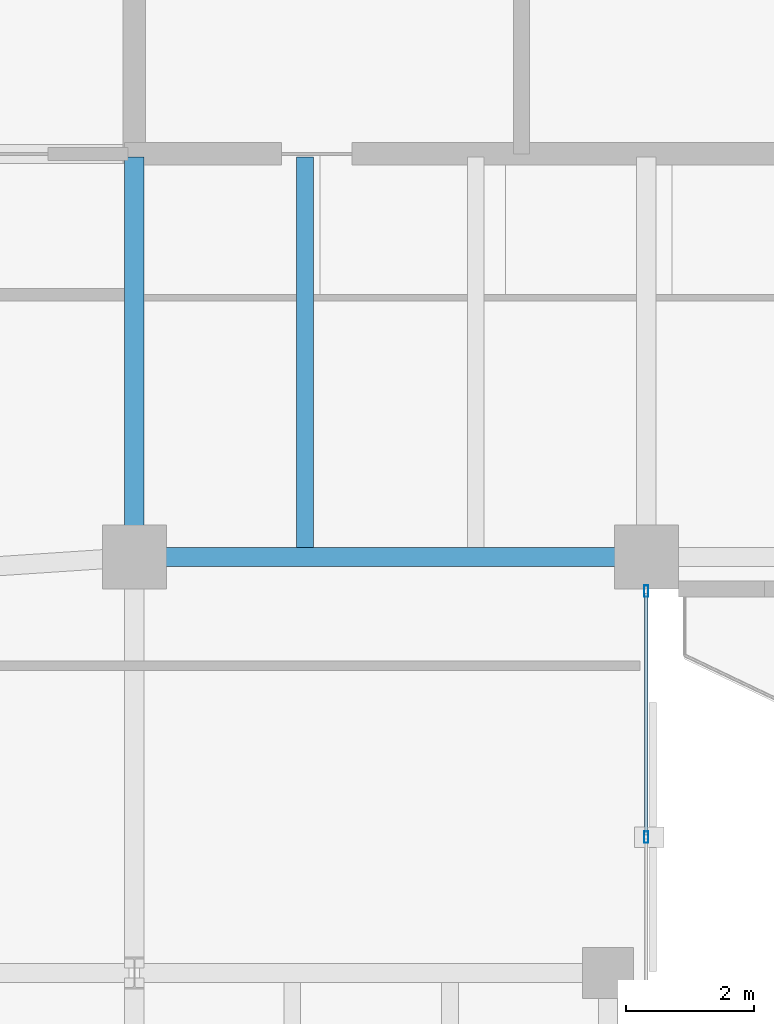
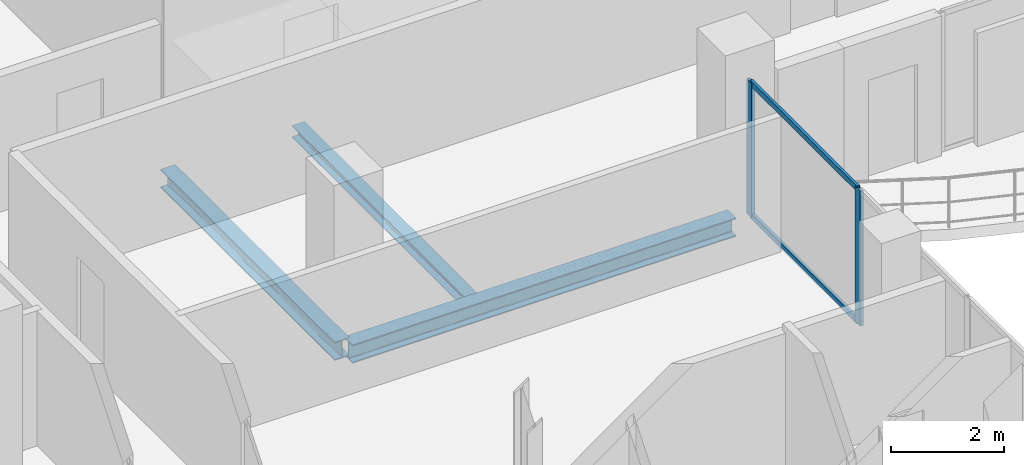
# One storey, part 10 of 23: 4 members, 3 beams, 1 element without a shape of its own.
"""IFC4 building model written with IfcOpenShell, lengths in metres."""

import ifcopenshell
import ifcopenshell.guid

model = None  # the IFC model being written
_history = None  # IfcOwnerHistory: only IFC2X3 demands one
_inside = {}  # id of a spatial element -> (the spatial element, [elements in it])
_under = {}  # id of a project, library or spatial element -> (it, [spatial elements below it])
_declared = {}  # id of a project -> (the project, [libraries it declares])
_typed = {}  # id of a type object -> (the type object, [elements of that type])
_made_of = {}  # id of a material, layer set ... -> (it, [elements and type objects made of it])


def new_model(schema):
    """Start an empty IFC model of exactly this schema.

    Asked for "IFC4X3", IfcOpenShell would pick the latest addendum, in which some entities
    have other attributes; the version numbers below select the first issue.
    IFC2X3 requires an IfcOwnerHistory on every rooted entity: one is made here for all.
    """
    global model, _history
    if schema == "IFC4X3":
        model = ifcopenshell.file(schema_version=(4, 3, 0, 0))
    else:
        model = ifcopenshell.file(schema=schema)
    _inside.clear()
    _under.clear()
    _declared.clear()
    _typed.clear()
    _made_of.clear()
    _history = None
    if model.schema == "IFC2X3":
        org = make("IfcOrganization", Name="unknown")
        user = make(
            "IfcPersonAndOrganization",
            ThePerson=make("IfcPerson", FamilyName="unknown"),
            TheOrganization=org,
        )
        app = make(
            "IfcApplication",
            ApplicationDeveloper=org,
            Version="unknown",
            ApplicationFullName="unknown",
            ApplicationIdentifier="unknown",
        )
        _history = make(
            "IfcOwnerHistory",
            OwningUser=user,
            OwningApplication=app,
            ChangeAction="ADDED",
            CreationDate=0,
        )
    return model


def make(cls, **values):
    """One entity of the class cls with the attributes given. An attribute that is None is left unset."""
    return model.create_entity(
        cls, **{name: value for name, value in values.items() if value is not None}
    )


def rooted(cls, **values):
    """An entity with a GlobalId (a new one), such as an element, a storey or a relation."""
    return make(cls, GlobalId=ifcopenshell.guid.new(), OwnerHistory=_history, **values)


def si_unit(unit_type, name, prefix=None):
    """IfcSIUnit, for example si_unit("LENGTHUNIT", "METRE", prefix="MILLI")."""
    return make("IfcSIUnit", UnitType=unit_type, Prefix=prefix, Name=name)


def assignment(units):
    """IfcUnitAssignment: the units of a project."""
    return None if units is None else make("IfcUnitAssignment", Units=units)


def point(xyz):
    """IfcCartesianPoint."""
    return None if xyz is None else make("IfcCartesianPoint", Coordinates=xyz)


def direction(xyz):
    """IfcDirection."""
    return None if xyz is None else make("IfcDirection", DirectionRatios=xyz)


def frame(location, z_axis=None, x_axis=None):
    """IfcAxis2Placement3D, a coordinate frame: its origin and axes. An axis left out is left unset."""
    return make(
        "IfcAxis2Placement3D",
        Location=point(location),
        Axis=direction(z_axis),
        RefDirection=direction(x_axis),
    )


def frame_2d(location, x_axis=None):
    """IfcAxis2Placement2D, a coordinate frame in the plane: its origin and x axis."""
    return make(
        "IfcAxis2Placement2D", Location=point(location), RefDirection=direction(x_axis)
    )


def origin():
    """The frame at (0, 0, 0) with its axes left unset."""
    return frame((0.0, 0.0, 0.0))


def origin_2d():
    """The frame at (0, 0) in the plane with its x axis left unset."""
    return frame_2d((0.0, 0.0))


def place(relative_to, where):
    """IfcLocalPlacement: puts the frame where relative to a parent placement (None: the world)."""
    return make(
        "IfcLocalPlacement", PlacementRelTo=relative_to, RelativePlacement=where
    )


def context(
    kind, dimensions, precision=None, world=None, true_north=None, identifier=None
):
    """IfcGeometricRepresentationContext, for example the 3D "Model" context."""
    return make(
        "IfcGeometricRepresentationContext",
        ContextIdentifier=identifier,
        ContextType=kind,
        CoordinateSpaceDimension=dimensions,
        Precision=precision,
        WorldCoordinateSystem=world,
        TrueNorth=true_north,
    )


def subcontext(parent, identifier, kind, view, scale=None):
    """IfcGeometricRepresentationSubContext, for example "Body" below "Model"."""
    return make(
        "IfcGeometricRepresentationSubContext",
        ContextIdentifier=identifier,
        ContextType=kind,
        ParentContext=parent,
        TargetScale=scale,
        TargetView=view,
    )


def project(units=None, contexts=None):
    """IfcProject with its units and contexts."""
    return rooted(
        "IfcProject",
        Name="project",
        RepresentationContexts=contexts,
        UnitsInContext=assignment(units),
    )


def spatial(cls, under=None, at=None, **own):
    """A site, building, storey or space (cls), placed at a placement, below another one or the project."""
    s = rooted(cls, ObjectPlacement=at, **own)
    if under is not None:
        _under.setdefault(under.id(), (under, []))[1].append(s)
    return s


def profile(cls, at=None, kind="AREA", **sizes):
    """A parametric profile (cls). Its sizes go by their IFC names, for example OverallWidth=200.0."""
    return make(cls, ProfileType=kind, Position=at, **sizes)


def hollow_rectangle(**sizes):
    """IfcRectangleHollowProfileDef."""
    return profile("IfcRectangleHollowProfileDef", **sizes)


def i_section(**sizes):
    """IfcIShapeProfileDef."""
    return profile("IfcIShapeProfileDef", **sizes)


def extrude(swept, where, along, depth):
    """IfcExtrudedAreaSolid: the profile swept, set in the frame where, extruded along a direction by depth."""
    return make(
        "IfcExtrudedAreaSolid",
        SweptArea=swept,
        Position=where,
        ExtrudedDirection=direction(along),
        Depth=depth,
    )


def shape(context_of_items, identifier, shape_type, items):
    """IfcShapeRepresentation: the items that make up one representation, for example the "Body"."""
    return make(
        "IfcShapeRepresentation",
        ContextOfItems=context_of_items,
        RepresentationIdentifier=identifier,
        RepresentationType=shape_type,
        Items=items,
    )


def material(Name=None, Category=None):
    """IfcMaterial."""
    return make("IfcMaterial", Name=Name, Category=Category)


def layer(
    of_material, thickness, ventilated=None, Name=None, Category=None, Priority=None
):
    """IfcMaterialLayer: one layer of a wall or slab, of a material (None: an air gap)."""
    return make(
        "IfcMaterialLayer",
        Material=of_material,
        LayerThickness=thickness,
        IsVentilated=ventilated,
        Name=Name,
        Category=Category,
        Priority=Priority,
    )


def layer_set(layers, Name=None):
    """IfcMaterialLayerSet."""
    return make("IfcMaterialLayerSet", MaterialLayers=layers, LayerSetName=Name)


def material_profile(
    of_material, cross_section, Name=None, Category=None, Priority=None
):
    """IfcMaterialProfile: a cross section and its material."""
    return make(
        "IfcMaterialProfile",
        Name=Name,
        Material=of_material,
        Profile=cross_section,
        Priority=Priority,
        Category=Category,
    )


def profile_set(profiles, Name=None, composite=None):
    """IfcMaterialProfileSet."""
    return make(
        "IfcMaterialProfileSet",
        Name=Name,
        MaterialProfiles=profiles,
        CompositeProfile=composite,
    )


def made_of(thing, what):
    """Note that an element or type object is made of a material, layer set ...; save() writes the relation."""
    if what is not None:
        _made_of.setdefault(what.id(), (what, []))[1].append(thing)
    return thing


def type_object(cls, material=None, **own):
    """A type object (cls), such as IfcWallType, which elements share."""
    return made_of(rooted(cls, **own), material)


def element(
    cls,
    number,
    at=None,
    inside=None,
    cuts=None,
    type_object=None,
    material=None,
    context=None,
    identifier="Body",
    shape_type=None,
    held_by="IfcProductDefinitionShape",
    body=None,
    shapes=None,
    **own,
):
    """One element of the class cls, such as IfcWall. Its Tag is "e" and its number.

    at: its placement. inside: the storey or other place that contains it. cuts: it is an
    opening in that element (IfcRelVoidsElement). A single representation is given by context,
    identifier, shape_type and body (its items); several are given by shapes. held_by: the class
    of the entity that holds the representations. save() writes the other relations.
    """
    e = rooted(cls, Tag="e%d" % number, ObjectPlacement=at, **own)
    if body is not None:
        shapes = [shape(context, identifier, shape_type, body)]
    if shapes is not None:
        e.Representation = make(held_by, Representations=shapes)
    if inside is not None:
        _inside.setdefault(inside.id(), (inside, []))[1].append(e)
    if cuts is not None:
        rooted(
            "IfcRelVoidsElement", RelatingBuildingElement=cuts, RelatedOpeningElement=e
        )
    if type_object is not None:
        _typed.setdefault(type_object.id(), (type_object, []))[1].append(e)
    return made_of(e, material)


def aggregate(whole, parts):
    """IfcRelAggregates: a whole, such as a stair, and the parts it consists of."""
    return rooted("IfcRelAggregates", RelatingObject=whole, RelatedObjects=parts)


def save(model, path):
    """Write the relations noted so far, then the file.

    IfcRelAggregates (storeys below a building ...), IfcRelContainedInSpatialStructure (elements
    in a storey), IfcRelDefinesByType, IfcRelAssociatesMaterial and IfcRelDeclares: one each for
    every whole, place, type object, material and project.
    """
    for whole, parts in _under.values():
        aggregate(whole, parts)
    for where, things in _inside.values():
        rooted(
            "IfcRelContainedInSpatialStructure",
            RelatedElements=things,
            RelatingStructure=where,
        )
    for kind, things in _typed.values():
        rooted("IfcRelDefinesByType", RelatedObjects=things, RelatingType=kind)
    for what, things in _made_of.values():
        rooted("IfcRelAssociatesMaterial", RelatedObjects=things, RelatingMaterial=what)
    for by, libraries in _declared.values():
        rooted("IfcRelDeclares", RelatingContext=by, RelatedDefinitions=libraries)
    model.write(path)


model = new_model("IFC4")

# Units and contexts
model_context = context("Model", 3, precision=1e-05, world=origin(), true_north=direction((0.0, 1.0)))
body_context = subcontext(model_context, "Body", "Model", "MODEL_VIEW")
ifc_project = project(units=[si_unit("LENGTHUNIT", "METRE"), si_unit("AREAUNIT", "SQUARE_METRE"), si_unit("VOLUMEUNIT", "CUBIC_METRE"), si_unit("PLANEANGLEUNIT", "RADIAN"), si_unit("MASSUNIT", "GRAM", prefix="KILO")], contexts=[model_context])

# Site, building, storey
site_placement = place(None, origin())
site = spatial("IfcSite", under=ifc_project, at=site_placement, CompositionType="ELEMENT")
building_placement = place(site_placement, origin())
building = spatial("IfcBuilding", under=site, at=building_placement, Name="Catumbela Crestline Tower", CompositionType="ELEMENT")
storey_placement = place(building_placement, frame((0.0, 0.0, 186.6)))
storey = spatial("IfcBuildingStorey", under=building, at=storey_placement, Name="L48", CompositionType="ELEMENT", Elevation=186.6)

# Beams
ifc_material_1 = material(Name="Structural steel S355J2", Category="steel")
ifc_material_profile_1 = material_profile(ifc_material_1, i_section(OverallWidth=0.3, OverallDepth=0.4, WebThickness=0.0135, FlangeThickness=0.024, FilletRadius=0.027, at=origin_2d()), Name="HEB 400")
ifc_profile_set_1 = profile_set([ifc_material_profile_1], Name="Structural steel S355J2")
beam_type_1 = type_object("IfcBeamType", Name="BG-HEB400", PredefinedType="BEAM", material=ifc_profile_set_1)
beam_1_placement = place(storey_placement, frame((16.08, 24.5, -0.46), z_axis=(1.0, 0.0, 0.0), x_axis=(0.0, 1.0, 0.0)))
element("IfcBeam", 1, at=beam_1_placement, inside=storey, type_object=beam_type_1, Name="L48 Beam BM-L48-S03", PredefinedType="BEAM", context=body_context, shape_type="SweptSolid", body=[
    extrude(i_section(OverallWidth=0.3, OverallDepth=0.4, WebThickness=0.0135, FlangeThickness=0.024, FilletRadius=0.027, at=origin_2d()), origin(), (0.0, 0.0, 1.0), 7.84),
])
beam_2_placement = place(storey_placement, frame((16.0, 24.58, -0.46), z_axis=(0.0, 1.0, 0.0), x_axis=(-1.0, 0.0, 0.0)))
element("IfcBeam", 2, at=beam_2_placement, inside=storey, type_object=beam_type_1, Name="L48 Beam BM-L48-SNS17", PredefinedType="BEAM", context=body_context, shape_type="SweptSolid", body=[
    extrude(i_section(OverallWidth=0.3, OverallDepth=0.4, WebThickness=0.0135, FlangeThickness=0.024, FilletRadius=0.027, at=origin_2d()), origin(), (0.0, 0.0, 1.0), 6.17),
])
ifc_material_profile_2 = material_profile(ifc_material_1, i_section(OverallWidth=0.26, OverallDepth=0.25, WebThickness=0.0075, FlangeThickness=0.0125, FilletRadius=0.024, at=origin_2d()), Name="HEA 260")
ifc_profile_set_2 = profile_set([ifc_material_profile_2], Name="Structural steel S355J2")
beam_type_2 = type_object("IfcBeamType", Name="BJ-HEA260", PredefinedType="JOIST", material=ifc_profile_set_2)
beam_3_placement = place(storey_placement, frame((18.667, 24.647, -0.385), z_axis=(0.0, 1.0, 0.0), x_axis=(-1.0, 0.0, 0.0)))
element("IfcBeam", 3, at=beam_3_placement, inside=storey, type_object=beam_type_2, Name="L48 Joist JS-L48-SP26", PredefinedType="JOIST", context=body_context, shape_type="SweptSolid", body=[
    extrude(i_section(OverallWidth=0.26, OverallDepth=0.25, WebThickness=0.0075, FlangeThickness=0.0125, FilletRadius=0.024, at=origin_2d()), origin(), (0.0, 0.0, 1.0), 6.103),
])

# Curtain wall, members
ifc_material_2 = material(Name="Aluminium alloy AW-6060-T66", Category="aluminium")
ifc_layer = layer(ifc_material_2, 0.18, Name="Aluminium alloy AW-6060-T66")
ifc_layer_set = layer_set([ifc_layer], Name="Aluminium alloy AW-6060-T66")
curtain_wall_type = type_object("IfcCurtainWallType", Name="CWU-Z3", PredefinedType="USERDEFINED", material=ifc_layer_set)
curtain_wall_placement = place(storey_placement, origin())
curtain_wall = element("IfcCurtainWall", 4, at=curtain_wall_placement, inside=storey, type_object=curtain_wall_type, Name="L48 Unitised Curtain Wall CW-L48-E2S1", ObjectType="UNITISED", PredefinedType="USERDEFINED")
ifc_material_profile_3 = material_profile(ifc_material_2, hollow_rectangle(XDim=0.065, YDim=0.18, WallThickness=0.004, at=origin_2d()), Name="ALU 180x65x4")
ifc_profile_set_3 = profile_set([ifc_material_profile_3], Name="Aluminium alloy AW-6060-T66")
member_type_1 = type_object("IfcMemberType", Name="MUL-180X65", PredefinedType="MULLION", material=ifc_profile_set_3)
member_1_placement = place(storey_placement, frame((24.0, 20.125, 0.0), z_axis=(0.0, 0.0, 1.0), x_axis=(-1.0, 0.0, 0.0)))
member_1 = element("IfcMember", 5, at=member_1_placement, type_object=member_type_1, Name="CWU-Z3 mullion 4", PredefinedType="MULLION", context=body_context, shape_type="SweptSolid", body=[
    extrude(hollow_rectangle(XDim=0.065, YDim=0.18, WallThickness=0.004, at=origin_2d()), origin(), (0.0, 0.0, 1.0), 2.92),
])
member_2_placement = place(storey_placement, frame((24.0, 23.9675, 0.0), z_axis=(0.0, 0.0, 1.0), x_axis=(-1.0, 0.0, 0.0)))
member_2 = element("IfcMember", 6, at=member_2_placement, type_object=member_type_1, Name="CWU-Z3 mullion 5", PredefinedType="MULLION", context=body_context, shape_type="SweptSolid", body=[
    extrude(hollow_rectangle(XDim=0.065, YDim=0.18, WallThickness=0.004, at=origin_2d()), origin(), (0.0, 0.0, 1.0), 2.92),
])
ifc_material_profile_4 = material_profile(ifc_material_2, hollow_rectangle(XDim=0.06, YDim=0.12, WallThickness=0.0035, at=origin_2d()), Name="ALU 120x60x3.5")
ifc_profile_set_4 = profile_set([ifc_material_profile_4], Name="Aluminium alloy AW-6060-T66")
member_type_2 = type_object("IfcMemberType", Name="TRN-120X60", PredefinedType="USERDEFINED", material=ifc_profile_set_4)
member_3_placement = place(storey_placement, frame((24.0, 20.1575, 0.03), z_axis=(0.0, 1.0, 0.0), x_axis=(-1.0, 0.0, 0.0)))
member_3 = element("IfcMember", 7, at=member_3_placement, type_object=member_type_2, Name="CWU-Z3 transom 4.1", ObjectType="TRANSOM", PredefinedType="USERDEFINED", context=body_context, shape_type="SweptSolid", body=[
    extrude(hollow_rectangle(XDim=0.06, YDim=0.12, WallThickness=0.0035, at=origin_2d()), origin(), (0.0, 0.0, 1.0), 3.7775),
])
member_4_placement = place(storey_placement, frame((24.0, 20.1575, 2.89), z_axis=(0.0, 1.0, 0.0), x_axis=(-1.0, 0.0, 0.0)))
member_4 = element("IfcMember", 8, at=member_4_placement, type_object=member_type_2, Name="CWU-Z3 transom 4.2", ObjectType="TRANSOM", PredefinedType="USERDEFINED", context=body_context, shape_type="SweptSolid", body=[
    extrude(hollow_rectangle(XDim=0.06, YDim=0.12, WallThickness=0.0035, at=origin_2d()), origin(), (0.0, 0.0, 1.0), 3.7775),
])
aggregate(curtain_wall, [member_1, member_2, member_3, member_4])

save(model, "model.ifc")
